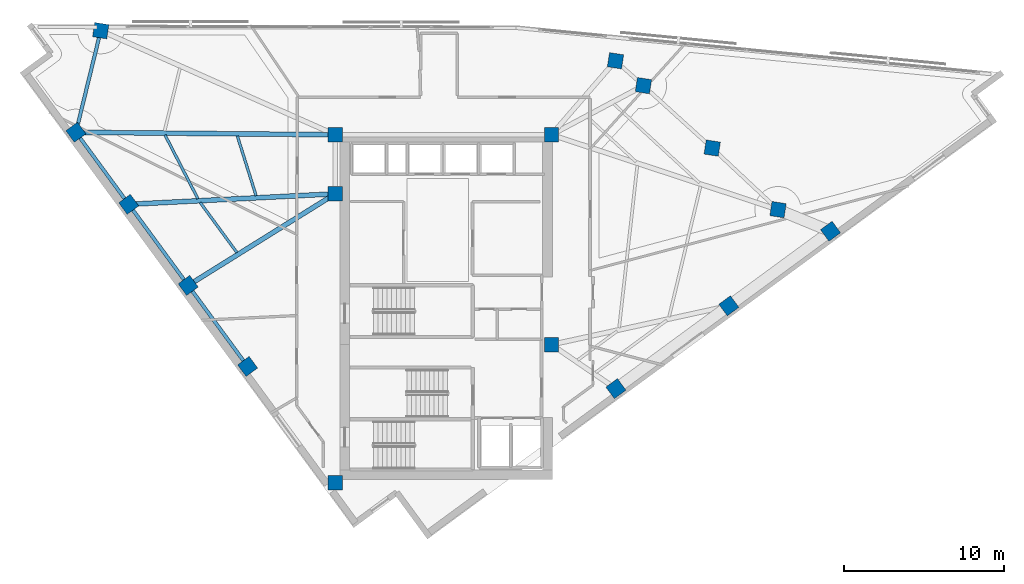
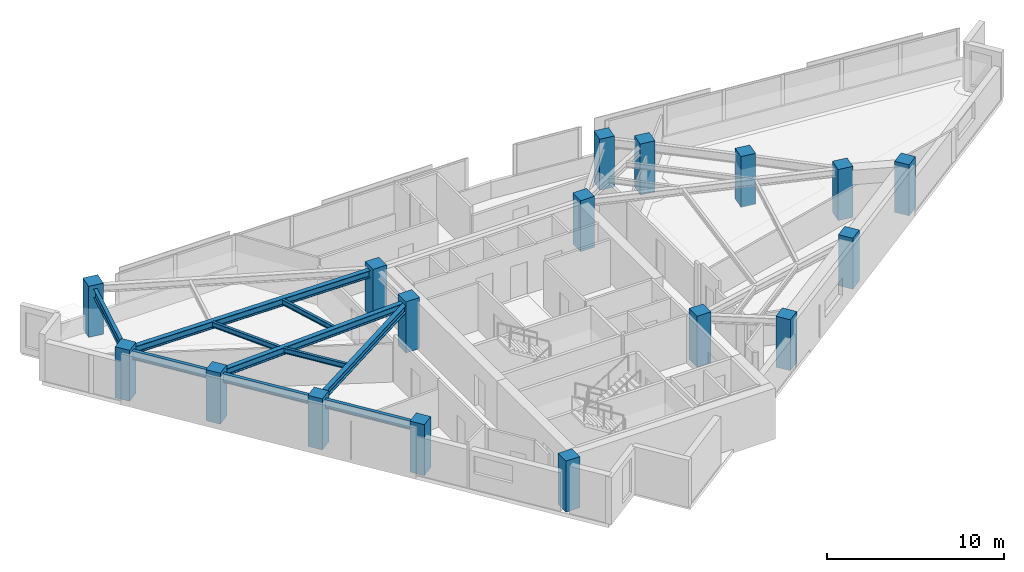
# One storey, part 1 of 13: 17 columns, 10 beams.
"""IFC4 building model written with IfcOpenShell, lengths in metres."""

from ifc_helpers import new_model, si_unit, direction, frame, origin, origin_2d, place, context, subcontext, project, spatial, rectangle, i_section, extrude, material, material_profile, profile_set, type_object, element, save


model = new_model("IFC4")

# Units and contexts
model_context = context("Model", 3, precision=1e-05, world=origin(), true_north=direction((0.0, 1.0)))
body_context = subcontext(model_context, "Body", "Model", "MODEL_VIEW")
ifc_project = project(units=[si_unit("LENGTHUNIT", "METRE"), si_unit("AREAUNIT", "SQUARE_METRE"), si_unit("VOLUMEUNIT", "CUBIC_METRE"), si_unit("PLANEANGLEUNIT", "RADIAN"), si_unit("MASSUNIT", "GRAM", prefix="KILO")], contexts=[model_context])

# Site, building, storey
site_placement = place(None, origin())
site = spatial("IfcSite", under=ifc_project, at=site_placement, CompositionType="ELEMENT")
building_placement = place(site_placement, origin())
building = spatial("IfcBuilding", under=site, at=building_placement, Name="Narakoshi Arena Tower", CompositionType="ELEMENT")
storey_placement = place(building_placement, frame((0.0, 0.0, 257.219970703125)))
storey = spatial("IfcBuildingStorey", under=building, at=storey_placement, Name="L70", CompositionType="ELEMENT", Elevation=257.219970703125)

# Columns
ifc_material_1 = material(Name="Concrete C50/60", Category="concrete")
ifc_material_profile_1 = material_profile(ifc_material_1, rectangle(XDim=0.89990234375, YDim=0.89990234375, at=origin_2d()), Name="RC900x900")
ifc_profile_set_1 = profile_set([ifc_material_profile_1], Name="Concrete C50/60")
column_type = type_object("IfcColumnType", Name="COL-RC900", PredefinedType="COLUMN", material=ifc_profile_set_1)
for number, where, z_axis, x_axis, name in (
    (1, (72.0, 34.699951171875, 0.0), (0.0, 0.0, 1.0), (1.0, 0.0, 0.0), "L70 Core Structural Column CC1"),
    (2, (85.550048828125, 43.35009765625, 0.0), (0.0, 0.0, 1.0), (1.0, 0.0, 0.0), "L70 Core Structural Column CC3"),
    (3, (72.0, 52.800048828125, 0.0), (0.0, 0.0, 1.0), (1.0, 0.0, 0.0), "L70 Core Structural Column CC4"),
    (4, (72.0, 56.5, 0.0), (0.0, 0.0, 1.0), (1.0, 0.0, 0.0), "L70 Core Structural Column CC5"),
    (5, (85.550048828125, 56.5, 0.0), (0.0, 0.0, 1.0), (1.0, 0.0, 0.0), "L70 Core Structural Column CC6"),
    (6, (89.58642578125, 40.594482421875, 0.0), (0.0, 0.0, 1.0), (0.806444604267, 0.591309648364, 0.0), "L70 Tower Perimeter Column TC01"),
    (7, (96.663330078125, 45.783447265625, 0.0), (0.0, 0.0, 1.0), (0.806444604267, 0.591309648364, 0.0), "L70 Tower Perimeter Column TC02"),
    (8, (103.032470703125, 50.45361328125, 0.0), (0.0, 0.0, 1.0), (0.806444604267, 0.591309648364, 0.0), "L70 Tower Perimeter Column TC03"),
    (9, (99.74267578125, 51.80712890625, 0.0), (0.0, 0.0, 1.0), (0.15212338619, 0.988361510468, 0.0), "L70 Tower Perimeter Column TC05"),
    (10, (95.619384765625, 55.665283203125, 0.0), (0.0, 0.0, 1.0), (0.15212338619, 0.988361510468, 0.0), "L70 Tower Perimeter Column TC06"),
    (11, (91.311279296875, 59.576416015625, 0.0), (0.0, 0.0, 1.0), (0.15212338619, 0.988361510468, 0.0), "L70 Tower Perimeter Column TC07"),
    (12, (89.5615234375, 61.134765625, 0.0), (0.0, 0.0, 1.0), (0.15212338619, 0.988361510468, 0.0), "L70 Tower Perimeter Column TC08"),
    (13, (57.30908203125, 63.0205078125, 0.0), (0.0, 0.0, 1.0), (0.15212338619, 0.988361510468, 0.0), "L70 Tower Perimeter Column TC10"),
    (14, (55.75341796875, 56.654296875, 0.0), (0.0, 0.0, 1.0), (-0.591309648364, 0.806444604267, 0.0), "L70 Tower Perimeter Column TC13"),
    (15, (59.063232421875, 52.140380859375, 0.0), (0.0, 0.0, 1.0), (-0.591309648364, 0.806444604267, 0.0), "L70 Tower Perimeter Column TC14"),
    (16, (62.786865234375, 47.061767578125, 0.0), (0.0, 0.0, 1.0), (-0.591309648364, 0.806444604267, 0.0), "L70 Tower Perimeter Column TC15"),
    (17, (66.510498046875, 41.9833984375, 0.0), (0.0, 0.0, 1.0), (-0.591309648364, 0.806444604267, 0.0), "L70 Tower Perimeter Column TC16"),
):
    element("IfcColumn", number, at=place(storey_placement, frame(where, z_axis=z_axis, x_axis=x_axis)), inside=storey, type_object=column_type, Name=name, PredefinedType="COLUMN", context=body_context, shape_type="SweptSolid", body=[
        extrude(rectangle(XDim=0.89990234375, YDim=0.89990234375, at=origin_2d()), origin(), (0.0, 0.0, 1.0), 3.52001953125),
    ])

# Beams
ifc_material_2 = material(Name="Structural steel S355J2", Category="steel")
ifc_material_profile_2 = material_profile(ifc_material_2, i_section(OverallWidth=0.219970703125, OverallDepth=0.60009765625, WebThickness=0.011962890625, FlangeThickness=0.01904296875, FilletRadius=0.02392578125, at=origin_2d()), Name="IPE600")
ifc_profile_set_2 = profile_set([ifc_material_profile_2], Name="Structural steel S355J2")
beam_type_1 = type_object("IfcBeamType", Name="BM-EDGE-600", PredefinedType="BEAM", material=ifc_profile_set_2)
beam_1_placement = place(storey_placement, frame((57.30908203125, 63.0205078125, 2.9599609375), z_axis=(-0.237378097084, -0.971417335147, 0.0), x_axis=(0.971417335147, -0.237378097084, 0.0)))
element("IfcBeam", 18, at=beam_1_placement, inside=storey, type_object=beam_type_1, Name="L70 Perimeter Edge Girder 08", PredefinedType="BEAM", context=body_context, shape_type="SweptSolid", body=[
    extrude(i_section(OverallWidth=0.219970703125, OverallDepth=0.60009765625, WebThickness=0.011962890625, FlangeThickness=0.01904296875, FilletRadius=0.02392578125, at=origin_2d()), origin(), (0.0, 0.0, 1.0), 6.553466796875),
])
beam_2_placement = place(storey_placement, frame((55.75341796875, 56.654296875, 2.9599609375), z_axis=(0.591318280641, -0.806438274749, 0.0), x_axis=(0.806438274749, 0.591318280641, 0.0)))
element("IfcBeam", 19, at=beam_2_placement, inside=storey, type_object=beam_type_1, Name="L70 Perimeter Edge Girder 09", PredefinedType="BEAM", context=body_context, shape_type="SweptSolid", body=[
    extrude(i_section(OverallWidth=0.219970703125, OverallDepth=0.60009765625, WebThickness=0.011962890625, FlangeThickness=0.01904296875, FilletRadius=0.02392578125, at=origin_2d()), origin(), (0.0, 0.0, 1.0), 5.597412109375),
])
for number, where, z_axis, x_axis, name in (
    (20, (59.063232421875, 52.140380859375, 2.9599609375), (0.591293071807, -0.80645675844, 0.0), (0.80645675844, 0.591293071807, 0.0), "L70 Perimeter Edge Girder 10"),
    (21, (62.786865234375, 47.061767578125, 2.9599609375), (0.59131155895, -0.806443203364, 0.0), (0.806443203364, 0.59131155895, 0.0), "L70 Perimeter Edge Girder 11"),
):
    element("IfcBeam", number, at=place(storey_placement, frame(where, z_axis=z_axis, x_axis=x_axis)), inside=storey, type_object=beam_type_1, Name=name, PredefinedType="BEAM", context=body_context, shape_type="SweptSolid", body=[
        extrude(i_section(OverallWidth=0.219970703125, OverallDepth=0.60009765625, WebThickness=0.011962890625, FlangeThickness=0.01904296875, FilletRadius=0.02392578125, at=origin_2d()), origin(), (0.0, 0.0, 1.0), 6.29736328125),
    ])
ifc_material_profile_3 = material_profile(ifc_material_2, i_section(OverallWidth=0.300048828125, OverallDepth=0.5, WebThickness=0.014404296875, FlangeThickness=0.028076171875, FilletRadius=0.027099609375, at=origin_2d()), Name="HE500B")
ifc_profile_set_3 = profile_set([ifc_material_profile_3], Name="Structural steel S355J2")
beam_type_2 = type_object("IfcBeamType", Name="BM-PRI-500", PredefinedType="BEAM", material=ifc_profile_set_3)
beam_3_placement = place(storey_placement, frame((72.0, 56.5, 3.010009765625), z_axis=(-0.999954904742, 0.009496761636, 0.0), x_axis=(-0.009496761636, -0.999954904742, 0.0)))
element("IfcBeam", 22, at=beam_3_placement, inside=storey, type_object=beam_type_2, Name="L70 Radial Primary Floor Girder 09", PredefinedType="BEAM", context=body_context, shape_type="SweptSolid", body=[
    extrude(i_section(OverallWidth=0.300048828125, OverallDepth=0.5, WebThickness=0.014404296875, FlangeThickness=0.028076171875, FilletRadius=0.027099609375, at=origin_2d()), origin(), (0.0, 0.0, 1.0), 16.247314453125),
])
beam_4_placement = place(storey_placement, frame((72.0, 52.800048828125, 3.010009765625), z_axis=(-0.998702452309, -0.050925551079, 0.0), x_axis=(0.050925551079, -0.998702452309, 0.0)))
element("IfcBeam", 23, at=beam_4_placement, inside=storey, type_object=beam_type_2, Name="L70 Radial Primary Floor Girder 10", PredefinedType="BEAM", context=body_context, shape_type="SweptSolid", body=[
    extrude(i_section(OverallWidth=0.300048828125, OverallDepth=0.5, WebThickness=0.014404296875, FlangeThickness=0.028076171875, FilletRadius=0.027099609375, at=origin_2d()), origin(), (0.0, 0.0, 1.0), 12.95361328125),
])
beam_5_placement = place(storey_placement, frame((72.0, 52.800048828125, 3.010009765625), z_axis=(-0.848822444764, -0.528678027976, 0.0), x_axis=(0.528678027976, -0.848822444764, 0.0)))
element("IfcBeam", 24, at=beam_5_placement, inside=storey, type_object=beam_type_2, Name="L70 Radial Primary Floor Girder 11", PredefinedType="BEAM", context=body_context, shape_type="SweptSolid", body=[
    extrude(i_section(OverallWidth=0.300048828125, OverallDepth=0.5, WebThickness=0.014404296875, FlangeThickness=0.028076171875, FilletRadius=0.027099609375, at=origin_2d()), origin(), (0.0, 0.0, 1.0), 10.85400390625),
])
ifc_material_profile_4 = material_profile(ifc_material_2, i_section(OverallWidth=0.169921875, OverallDepth=0.360107421875, WebThickness=0.008056640625, FlangeThickness=0.0126953125, FilletRadius=0.01806640625, at=origin_2d()), Name="IPE360")
ifc_profile_set_4 = profile_set([ifc_material_profile_4], Name="Structural steel S355J2")
beam_type_3 = type_object("IfcBeamType", Name="BM-SEC-360", PredefinedType="JOIST", material=ifc_profile_set_4)
beam_6_placement = place(storey_placement, frame((65.86669921875, 56.429931640625, 3.080078125), z_axis=(0.299321233249, -0.954152398376, 0.0), x_axis=(0.954152398376, 0.299321233249, 0.0)))
element("IfcBeam", 25, at=beam_6_placement, inside=storey, type_object=beam_type_3, Name="L70 Composite Secondary Floor Joist 08", PredefinedType="JOIST", context=body_context, shape_type="SweptSolid", body=[
    extrude(i_section(OverallWidth=0.169921875, OverallDepth=0.360107421875, WebThickness=0.008056640625, FlangeThickness=0.0126953125, FilletRadius=0.01806640625, at=origin_2d()), origin(), (0.0, 0.0, 1.0), 3.93212890625),
])
beam_7_placement = place(storey_placement, frame((61.339111328125, 56.48193359375, 3.080078125), z_axis=(0.458232175947, -0.888832533679, 0.0), x_axis=(0.888832533679, 0.458232175947, 0.0)))
element("IfcBeam", 26, at=beam_7_placement, inside=storey, type_object=beam_type_3, Name="L70 Composite Secondary Floor Joist 09", PredefinedType="JOIST", context=body_context, shape_type="SweptSolid", body=[
    extrude(i_section(OverallWidth=0.169921875, OverallDepth=0.360107421875, WebThickness=0.008056640625, FlangeThickness=0.0126953125, FilletRadius=0.01806640625, at=origin_2d()), origin(), (0.0, 0.0, 1.0), 4.497314453125),
])
beam_8_placement = place(storey_placement, frame((63.54150390625, 52.255615234375, 3.080078125), z_axis=(0.591330981868, -0.806428961461, 0.0), x_axis=(0.806428961461, 0.591330981868, 0.0)))
element("IfcBeam", 27, at=beam_8_placement, inside=storey, type_object=beam_type_3, Name="L70 Composite Secondary Floor Joist 10", PredefinedType="JOIST", context=body_context, shape_type="SweptSolid", body=[
    extrude(i_section(OverallWidth=0.169921875, OverallDepth=0.360107421875, WebThickness=0.008056640625, FlangeThickness=0.0126953125, FilletRadius=0.01806640625, at=origin_2d()), origin(), (0.0, 0.0, 1.0), 3.88623046875),
])

save(model, "model.ifc")
